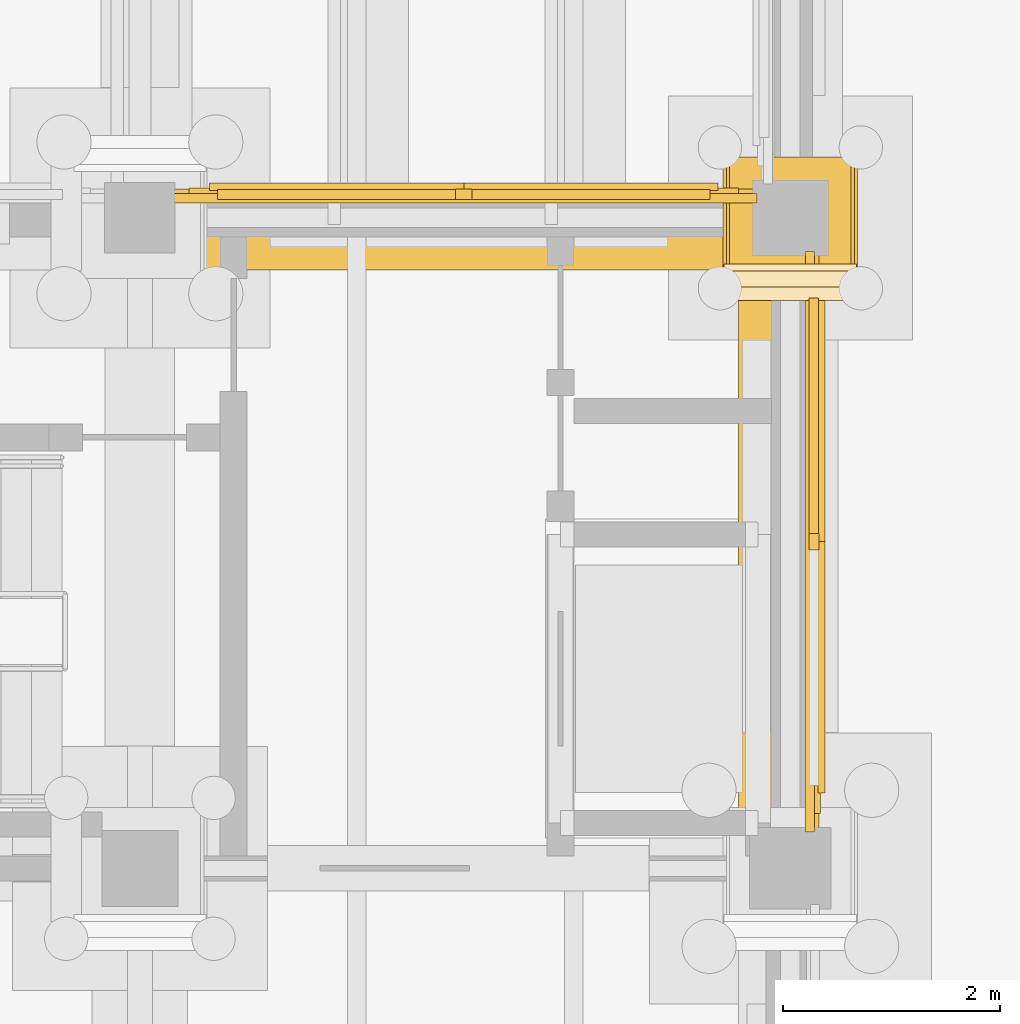
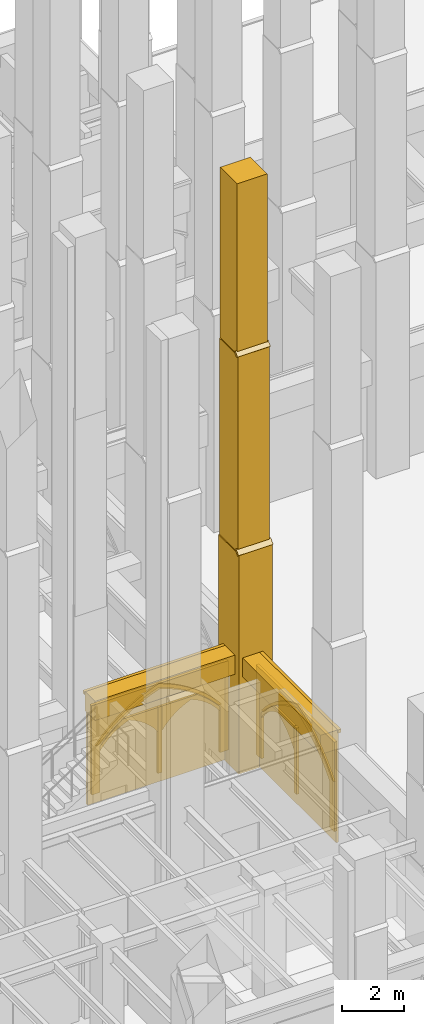
# One storey, part 79 of 135: 20 coverings.
"""IFC4 building model written with IfcOpenShell, lengths in metres."""

from ifc_helpers import new_model, si_unit, direction, frame, origin, origin_2d, place, context, subcontext, project, spatial, polyline, rectangle, outline, extrude, material, type_object, element, save


model = new_model("IFC4")

# Units and contexts
model_context = context("Model", 3, precision=1e-05, world=origin(), true_north=direction((0.0, 1.0)))
body_context = subcontext(model_context, "Body", "Model", "MODEL_VIEW")
ifc_project = project(units=[si_unit("LENGTHUNIT", "METRE"), si_unit("AREAUNIT", "SQUARE_METRE"), si_unit("VOLUMEUNIT", "CUBIC_METRE"), si_unit("PLANEANGLEUNIT", "RADIAN"), si_unit("MASSUNIT", "GRAM", prefix="KILO")], contexts=[model_context])

# Site, building, storey
site_placement = place(None, origin())
site = spatial("IfcSite", under=ifc_project, at=site_placement, CompositionType="ELEMENT")
building_placement = place(site_placement, origin())
building = spatial("IfcBuilding", under=site, at=building_placement, Name="Cumevento Cable Car Station", CompositionType="ELEMENT")
storey_placement = place(building_placement, origin())
storey = spatial("IfcBuildingStorey", under=building, at=storey_placement, Name="L01", CompositionType="ELEMENT", Elevation=0.0)

# Coverings
ifc_material = material(Name="Gnaisse Facoidal Stone Ashlar 85 MPa", Category="masonry")
covering_type = type_object("IfcCoveringType", Name="Gnaisse Ashlar Cladding CV-CL01", PredefinedType="CLADDING", material=ifc_material)
covering_1_placement = place(storey_placement, frame((22.0, 32.909912109375, -0.06005859375), z_axis=(0.0, 0.0, 1.0), x_axis=(1.0, 0.0, 0.0)))
element("IfcCovering", 1, at=covering_1_placement, inside=storey, type_object=covering_type, Name="Stepped Gothic Stone Buttress Tier 1 bt:22.0:33.0", PredefinedType="CLADDING", context=body_context, shape_type="SweptSolid", body=[
    extrude(rectangle(XDim=1.239990234375, YDim=1.300048828125, at=origin_2d()), origin(), (0.0, 0.0, 1.0), 8.595703125),
])
covering_2_placement = place(storey_placement, frame((21.360107421875, 32.239990234375, 8.515625), z_axis=(0.0, -0.711135781079, 0.703054692658), x_axis=(1.0, 0.0, 0.0)))
element("IfcCovering", 2, at=covering_2_placement, inside=storey, type_object=covering_type, Name="Gothic Buttress Sloped Stone Weathering 1 bt:22.0:33.0", PredefinedType="CLADDING", context=body_context, shape_type="SweptSolid", body=[
    extrude(outline(polyline([(0.0, 0.0), (1.27978515625, 0.0), (1.27978515625, 0.24169083397703695), (0.0, 0.24169083397703695), (0.0, 0.0)])), origin(), (0.0, 0.0, -1.0), 0.090087890625),
])
covering_3_placement = place(storey_placement, frame((22.0, 32.969970703125, 8.0830078125), z_axis=(0.0, 0.0, 1.0), x_axis=(1.0, 0.0, 0.0)))
element("IfcCovering", 3, at=covering_3_placement, inside=storey, type_object=covering_type, Name="Stepped Gothic Stone Buttress Tier 2 bt:22.0:33.0", PredefinedType="CLADDING", context=body_context, shape_type="SweptSolid", body=[
    extrude(rectangle(XDim=1.179931640625, YDim=1.179931640625, at=origin_2d()), origin(), (0.0, 0.0, 1.0), 8.143310546875),
])
covering_4_placement = place(storey_placement, frame((21.389892578125, 32.360107421875, 16.206298828125), z_axis=(0.0, -0.714474823669, 0.699661151089), x_axis=(1.0, 0.0, 0.0)))
element("IfcCovering", 4, at=covering_4_placement, inside=storey, type_object=covering_type, Name="Gothic Buttress Sloped Stone Weathering 2 bt:22.0:33.0", PredefinedType="CLADDING", context=body_context, shape_type="SweptSolid", body=[
    extrude(outline(polyline([(0.0, 0.0), (1.22021484375, 0.0), (1.22021484375, 0.21424991728737655), (0.0, 0.21424991728737655), (0.0, 0.0)])), origin(), (0.0, 0.0, -1.0), 0.090087890625),
])
covering_5_placement = place(storey_placement, frame((22.0, 33.02001953125, 15.77392578125), z_axis=(0.0, 0.0, 1.0), x_axis=(1.0, 0.0, 0.0)))
element("IfcCovering", 5, at=covering_5_placement, inside=storey, type_object=covering_type, Name="Stepped Gothic Stone Buttress Tier 3 bt:22.0:33.0", PredefinedType="CLADDING", context=body_context, shape_type="SweptSolid", body=[
    extrude(rectangle(XDim=1.1201171875, YDim=1.080078125, at=origin_2d()), origin(), (0.0, 0.0, 1.0), 7.1259765625),
])
covering_6_placement = place(storey_placement, frame((18.987548828125, 32.85009765625, 3.697021484375), z_axis=(0.0, 0.0, 1.0), x_axis=(1.0, 0.0, 0.0)))
element("IfcCovering", 6, at=covering_6_placement, inside=storey, type_object=covering_type, Name="Gothic Stone Spandrel Stringcourse sc:0063", PredefinedType="CLADDING", context=body_context, shape_type="SweptSolid", body=[
    extrude(rectangle(XDim=5.56494140625, YDim=0.659912109375, at=origin_2d()), origin(), (0.0, 0.0, 1.0), 0.7529296875),
])
covering_7_placement = place(storey_placement, frame((18.987548828125, 33.20751953125, 4.320068359375), z_axis=(0.0, 0.0, 1.0), x_axis=(1.0, 0.0, 0.0)))
element("IfcCovering", 7, at=covering_7_placement, inside=storey, type_object=covering_type, Name="Gothic Cornice Dripstone Lip sc:0063", PredefinedType="CLADDING", context=body_context, shape_type="SweptSolid", body=[
    extrude(rectangle(XDim=5.60498046875, YDim=0.114990234375, at=origin_2d()), origin(), (0.0, 0.0, 1.0), 0.1298828125),
])
covering_8_placement = place(storey_placement, frame((21.85009765625, 30.012451171875, 3.702880859375), z_axis=(0.0, 0.0, 1.0), x_axis=(0.0, -1.0, 0.0)))
element("IfcCovering", 8, at=covering_8_placement, inside=storey, type_object=covering_type, Name="Gothic Stone Spandrel Stringcourse sc:0065", PredefinedType="CLADDING", context=body_context, shape_type="SweptSolid", body=[
    extrude(rectangle(XDim=5.514892578125, YDim=0.659912109375, at=origin_2d()), origin(), (0.0, 0.0, 1.0), 0.7470703125),
])
covering_9_placement = place(storey_placement, frame((22.20751953125, 30.012451171875, 4.320068359375), z_axis=(0.0, 0.0, 1.0), x_axis=(0.0, -1.0, 0.0)))
element("IfcCovering", 9, at=covering_9_placement, inside=storey, type_object=covering_type, Name="Gothic Cornice Dripstone Lip sc:0065", PredefinedType="CLADDING", context=body_context, shape_type="SweptSolid", body=[
    extrude(rectangle(XDim=5.554931640625, YDim=0.114990234375, at=origin_2d()), origin(), (0.0, 0.0, 1.0), 0.1298828125),
])
covering_10_placement = place(storey_placement, frame((16.324951171875, 33.0, 0.0), z_axis=(0.0, 0.0, 1.0), x_axis=(1.0, 0.0, 0.0)))
element("IfcCovering", 10, at=covering_10_placement, inside=storey, type_object=covering_type, Name="Exterior Gnaisse Stone Wall Ashlar #147", PredefinedType="CLADDING", context=body_context, shape_type="SweptSolid", body=[
    extrude(outline(polyline([(-0.0400390625, -0.02001953125), (5.364990234375, -0.02001953125), (5.364990234375, 3.777099609375), (-0.0400390625, 3.777099609375), (-0.0400390625, -0.02001953125)])), frame((0.0, 0.222412109375, 0.0), z_axis=(0.0, -1.0, 0.0), x_axis=(1.0, 0.0, 0.0)), (0.0, 0.0, 1.0), 0.0849609375),
])
placement_1 = place(storey_placement, frame((16.5048828125, 33.0, 0.300048828125), z_axis=(0.0, 0.0, 1.0), x_axis=(1.0, 0.0, 0.0)))
element("IfcCovering", 11, at=placement_1, inside=storey, type_object=covering_type, Name="Gothic Ogival Pointed-Arch Stone Spandrel blind_ogival:0147", PredefinedType="CLADDING", context=body_context, shape_type="SweptSolid", body=[
    extrude(outline(polyline([(-0.050048828125, 0.0), (-0.050048828125, 3.4970703125), (5.014892578125, 3.4970703125), (5.014892578125, 0.0), (4.705078125, 0.0), (4.705078125, 1.803955078125), (4.44091796875, 2.084716796875), (4.15625, 2.344482421875), (3.852294921875, 2.58154296875), (3.531005859375, 2.79443359375), (3.194091796875, 2.98193359375), (2.843994140625, 3.143310546875), (2.482421875, 3.277099609375), (2.12109375, 3.143310546875), (1.77099609375, 2.98193359375), (1.43408203125, 2.79443359375), (1.11279296875, 2.58154296875), (0.808837890625, 2.344482421875), (0.524169921875, 2.084716796875), (0.260009765625, 1.803955078125), (0.260009765625, 0.0), (-0.050048828125, 0.0)])), frame((0.0, 0.277587890625, 0.0), z_axis=(0.0, -1.0, 0.0), x_axis=(1.0, 0.0, 0.0)), (0.0, 0.0, 1.0), 0.110107421875),
])
covering_12_placement = place(storey_placement, frame((16.5048828125, 33.0, 2.10400390625), z_axis=(0.0, 0.0, 1.0), x_axis=(1.0, 0.0, 0.0)))
element("IfcCovering", 12, at=covering_12_placement, inside=storey, type_object=covering_type, Name="Gothic Pointed Archivolt Hood Moulding blind_ogival:0147", PredefinedType="CLADDING", context=body_context, shape_type="SweptSolid", body=[
    extrude(outline(polyline([(0.260009765625, 0.0), (0.524169921875, 0.28076171875), (0.808837890625, 0.54052734375), (1.11279296875, 0.777587890625), (1.43408203125, 0.990478515625), (1.77099609375, 1.177978515625), (2.12109375, 1.33935546875), (2.482421875, 1.47314453125), (2.843994140625, 1.33935546875), (3.194091796875, 1.177978515625), (3.531005859375, 0.990478515625), (3.852294921875, 0.777587890625), (4.15625, 0.54052734375), (4.44091796875, 0.28076171875), (4.705078125, 0.0), (4.825927734375, 0.0), (4.55224609375, 0.30859375), (4.2548828125, 0.594482421875), (3.935546875, 0.855712890625), (3.596435546875, 1.0908203125), (3.23974609375, 1.298095703125), (2.86767578125, 1.476318359375), (2.482421875, 1.624267578125), (2.097412109375, 1.476318359375), (1.725341796875, 1.298095703125), (1.36865234375, 1.0908203125), (1.029541015625, 0.855712890625), (0.710205078125, 0.594482421875), (0.412841796875, 0.30859375), (0.138916015625, 0.0), (0.260009765625, 0.0)])), frame((0.0, 0.319580078125, 0.0), z_axis=(0.0, -1.0, 0.0), x_axis=(1.0, 0.0, 0.0)), (0.0, 0.0, 1.0), 0.06689453125),
])
element("IfcCovering", 13, at=placement_1, inside=storey, type_object=covering_type, Name="Gothic Bifora Stone Colonnette blind_ogival:0147 #1", PredefinedType="CLADDING", context=body_context, shape_type="SweptSolid", body=[
    extrude(outline(polyline([(2.407470703125, -0.02001953125), (2.5576171875, -0.02001953125), (2.5576171875, 2.56982421875), (2.407470703125, 2.56982421875), (2.407470703125, -0.02001953125)])), frame((0.0, 0.265380859375, 0.0), z_axis=(0.0, -1.0, 0.0), x_axis=(1.0, 0.0, 0.0)), (0.0, 0.0, 1.0), 0.094970703125),
])
for number, where, z_axis, x_axis, name in (
    (14, (16.735107421875, 33.0, 1.923828125), (0.0, 0.0, 1.0), (1.0, 0.0, 0.0), "Gothic Ogival Pointed-Arch Stone Spandrel blind_ogival:0147:sub:0"),
    (15, (19.032470703125, 33.0, 1.923828125), (0.0, 0.0, 1.0), (1.0, 0.0, 0.0), "Gothic Ogival Pointed-Arch Stone Spandrel blind_ogival:0147:sub:1"),
):
    element("IfcCovering", number, at=place(storey_placement, frame(where, z_axis=z_axis, x_axis=x_axis)), inside=storey, type_object=covering_type, Name=name, PredefinedType="CLADDING", context=body_context, shape_type="SweptSolid", body=[
        extrude(outline(polyline([(-0.02001953125, 0.0), (-0.02001953125, 0.946044921875), (2.2275390625, 0.946044921875), (2.2275390625, 0.0), (2.16748046875, 0.0), (2.0283203125, 0.180419921875), (1.87158203125, 0.345703125), (1.69873046875, 0.494384765625), (1.511962890625, 0.624755859375), (1.31298828125, 0.73583984375), (1.103759765625, 0.825927734375), (0.89453125, 0.73583984375), (0.695556640625, 0.624755859375), (0.5087890625, 0.494384765625), (0.3359375, 0.345703125), (0.17919921875, 0.180419921875), (0.0400390625, 0.0), (-0.02001953125, 0.0)])), frame((0.0, 0.261474609375, 0.0), z_axis=(0.0, -1.0, 0.0), x_axis=(1.0, 0.0, 0.0)), (0.0, 0.0, 1.0), 0.090087890625),
    ])
covering_14_placement = place(storey_placement, frame((22.0, 32.64990234375, 0.0), z_axis=(0.0, 0.0, 1.0), x_axis=(0.0, -1.0, 0.0)))
element("IfcCovering", 16, at=covering_14_placement, inside=storey, type_object=covering_type, Name="Exterior Gnaisse Stone Wall Ashlar #149", PredefinedType="CLADDING", context=body_context, shape_type="SweptSolid", body=[
    extrude(outline(polyline([(-0.0400390625, -0.02001953125), (5.31494140625, -0.02001953125), (5.31494140625, 3.782958984375), (-0.0400390625, 3.782958984375), (-0.0400390625, -0.02001953125)])), frame((0.0, 0.222412109375, 0.0), z_axis=(0.0, -1.0, 0.0), x_axis=(1.0, 0.0, 0.0)), (0.0, 0.0, 1.0), 0.0849609375),
])
placement_2 = place(storey_placement, frame((22.0, 32.469970703125, 0.300048828125), z_axis=(0.0, 0.0, 1.0), x_axis=(0.0, -1.0, 0.0)))
element("IfcCovering", 17, at=placement_2, inside=storey, type_object=covering_type, Name="Gothic Ogival Pointed-Arch Stone Spandrel blind_ogival:0149", PredefinedType="CLADDING", context=body_context, shape_type="SweptSolid", body=[
    extrude(outline(polyline([(-0.050048828125, 0.0), (-0.050048828125, 3.5029296875), (4.965087890625, 3.5029296875), (4.965087890625, 0.0), (4.655029296875, 0.0), (4.655029296875, 1.807373046875), (4.395263671875, 2.08837890625), (4.1142578125, 2.348388671875), (3.81396484375, 2.5859375), (3.496337890625, 2.79931640625), (3.162841796875, 2.9873046875), (2.81591796875, 3.14892578125), (2.45751953125, 3.282958984375), (2.09912109375, 3.14892578125), (1.752197265625, 2.9873046875), (1.418701171875, 2.79931640625), (1.10107421875, 2.5859375), (0.80078125, 2.348388671875), (0.519775390625, 2.08837890625), (0.260009765625, 1.807373046875), (0.260009765625, 0.0), (-0.050048828125, 0.0)])), frame((0.0, 0.277587890625, 0.0), z_axis=(0.0, -1.0, 0.0), x_axis=(1.0, 0.0, 0.0)), (0.0, 0.0, 1.0), 0.110107421875),
])
covering_16_placement = place(storey_placement, frame((22.0, 32.469970703125, 2.107421875), z_axis=(0.0, 0.0, 1.0), x_axis=(0.0, -1.0, 0.0)))
element("IfcCovering", 18, at=covering_16_placement, inside=storey, type_object=covering_type, Name="Gothic Pointed Archivolt Hood Moulding blind_ogival:0149", PredefinedType="CLADDING", context=body_context, shape_type="SweptSolid", body=[
    extrude(outline(polyline([(0.260009765625, 0.0), (0.519775390625, 0.281005859375), (0.80078125, 0.541015625), (1.10107421875, 0.778564453125), (1.418701171875, 0.991943359375), (1.752197265625, 1.179931640625), (2.09912109375, 1.341552734375), (2.45751953125, 1.4755859375), (2.81591796875, 1.341552734375), (3.162841796875, 1.179931640625), (3.496337890625, 0.991943359375), (3.81396484375, 0.778564453125), (4.1142578125, 0.541015625), (4.395263671875, 0.281005859375), (4.655029296875, 0.0), (4.77587890625, 0.0), (4.506591796875, 0.308837890625), (4.212890625, 0.594970703125), (3.8974609375, 0.856689453125), (3.56201171875, 1.092041015625), (3.20849609375, 1.2998046875), (2.839599609375, 1.478515625), (2.45751953125, 1.626953125), (2.075439453125, 1.478515625), (1.70654296875, 1.2998046875), (1.35302734375, 1.092041015625), (1.017578125, 0.856689453125), (0.7021484375, 0.594970703125), (0.408447265625, 0.308837890625), (0.138916015625, 0.0), (0.260009765625, 0.0)])), frame((0.0, 0.319580078125, 0.0), z_axis=(0.0, -1.0, 0.0), x_axis=(1.0, 0.0, 0.0)), (0.0, 0.0, 1.0), 0.06689453125),
])
element("IfcCovering", 19, at=placement_2, inside=storey, type_object=covering_type, Name="Gothic Bifora Stone Colonnette blind_ogival:0149 #1", PredefinedType="CLADDING", context=body_context, shape_type="SweptSolid", body=[
    extrude(outline(polyline([(2.382568359375, -0.02001953125), (2.532470703125, -0.02001953125), (2.532470703125, 2.57470703125), (2.382568359375, 2.57470703125), (2.382568359375, -0.02001953125)])), frame((0.0, 0.265380859375, 0.0), z_axis=(0.0, -1.0, 0.0), x_axis=(1.0, 0.0, 0.0)), (0.0, 0.0, 1.0), 0.094970703125),
])
covering_18_placement = place(storey_placement, frame((22.0, 32.239990234375, 1.92724609375), z_axis=(0.0, 0.0, 1.0), x_axis=(0.0, -1.0, 0.0)))
element("IfcCovering", 20, at=covering_18_placement, inside=storey, type_object=covering_type, Name="Gothic Ogival Pointed-Arch Stone Spandrel blind_ogival:0149:sub:0", PredefinedType="CLADDING", context=body_context, shape_type="SweptSolid", body=[
    extrude(outline(polyline([(-0.02001953125, 0.0), (-0.02001953125, 0.947509765625), (2.202392578125, 0.947509765625), (2.202392578125, 0.0), (2.142578125, 0.0), (2.005859375, 0.180419921875), (1.8515625, 0.345947265625), (1.680908203125, 0.494873046875), (1.49609375, 0.625732421875), (1.298828125, 0.73681640625), (1.09130859375, 0.827392578125), (0.8837890625, 0.73681640625), (0.6865234375, 0.625732421875), (0.501708984375, 0.494873046875), (0.3310546875, 0.345947265625), (0.1767578125, 0.180419921875), (0.0400390625, 0.0), (-0.02001953125, 0.0)])), frame((0.0, 0.261474609375, 0.0), z_axis=(0.0, -1.0, 0.0), x_axis=(1.0, 0.0, 0.0)), (0.0, 0.0, 1.0), 0.090087890625),
])

save(model, "model.ifc")
